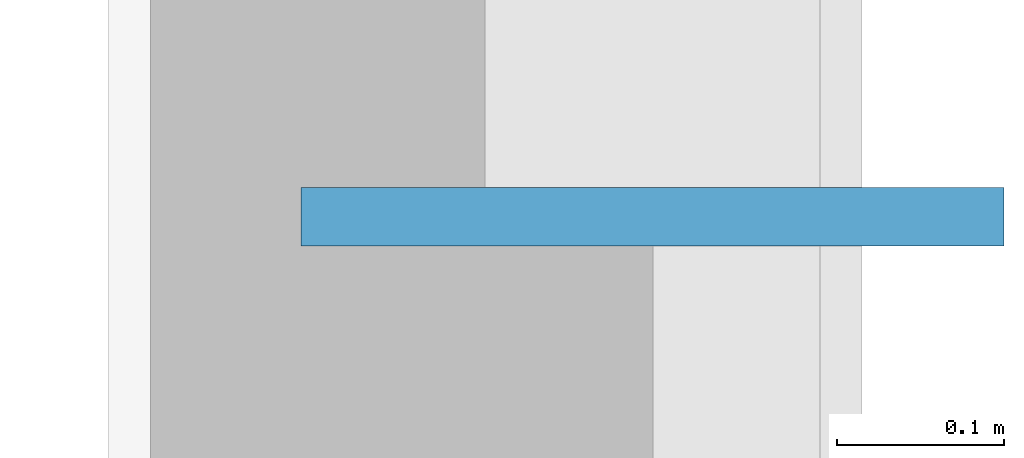
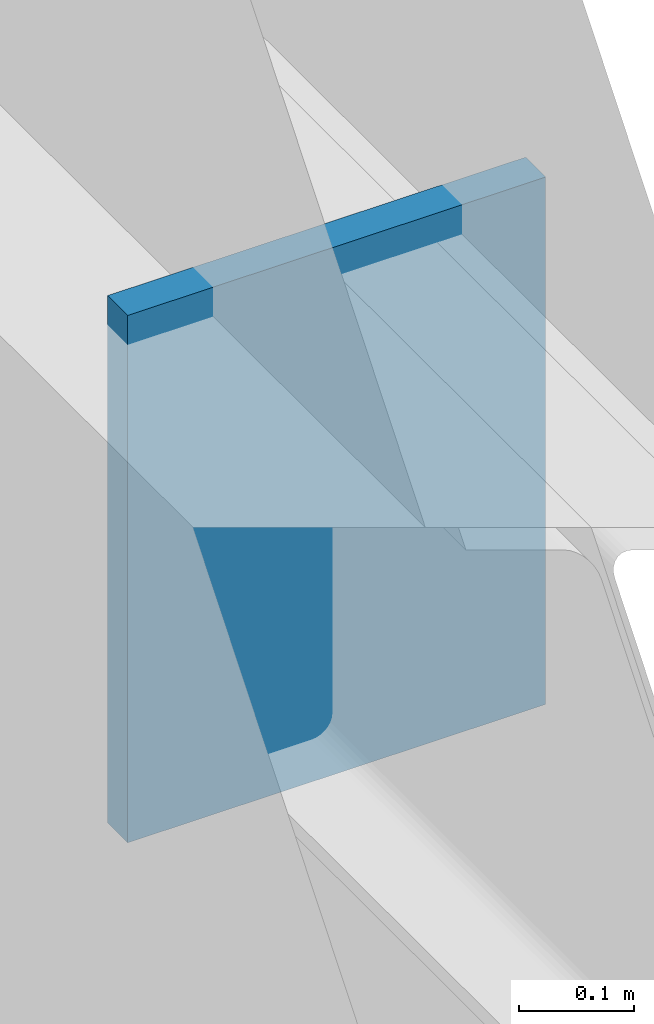
# One storey, part 40 of 49: 1 plate.
"""IFC4 building model written with IfcOpenShell, lengths in metres."""

from ifc_helpers import new_model, si_unit, direction, frame, origin, origin_2d, place, context, subcontext, project, spatial, rectangle, extrude, material, layer, layer_set, type_object, element, save


model = new_model("IFC4")

# Units and contexts
model_context = context("Model", 3, precision=1e-05, world=origin(), true_north=direction((0.0, 1.0)))
body_context = subcontext(model_context, "Body", "Model", "MODEL_VIEW")
ifc_project = project(units=[si_unit("LENGTHUNIT", "METRE"), si_unit("AREAUNIT", "SQUARE_METRE"), si_unit("VOLUMEUNIT", "CUBIC_METRE"), si_unit("PLANEANGLEUNIT", "RADIAN"), si_unit("MASSUNIT", "GRAM", prefix="KILO")], contexts=[model_context])

# Site, building, storey
site_placement = place(None, origin())
site = spatial("IfcSite", under=ifc_project, at=site_placement, CompositionType="ELEMENT")
building_placement = place(site_placement, origin())
building = spatial("IfcBuilding", under=site, at=building_placement, Name="Sundkrona Museum", CompositionType="ELEMENT")
storey_placement = place(building_placement, frame((0.0, 0.0, 26.0)))
storey = spatial("IfcBuildingStorey", under=building, at=storey_placement, Name="L05", CompositionType="ELEMENT", Elevation=26.0)

# Plate
ifc_material = material(Name="Steel S355J2", Category="steel")
ifc_layer = layer(ifc_material, 0.034912109375)
ifc_layer_set = layer_set([ifc_layer], Name="Steel S355J2")
plate_type = type_object("IfcPlateType", Name="EP-1", PredefinedType="USERDEFINED", material=ifc_layer_set)
plate_placement = place(storey_placement, frame((168.0, 40.0, 7.469970703125), z_axis=(0.0, 0.0, 1.0), x_axis=(1.0, 0.0, 0.0)))
element("IfcPlate", 1, at=plate_placement, inside=storey, type_object=plate_type, Name="Core Wall Cast-In Embed Plate BM-L05-Y-1796-2", ObjectType="GUSSET PLATE", PredefinedType="USERDEFINED", context=body_context, shape_type="SweptSolid", body=[
    extrude(rectangle(XDim=0.419921875, YDim=0.034912109375, at=origin_2d()), origin(), (0.0, 0.0, 1.0), 0.56005859375),
])

save(model, "model.ifc")
